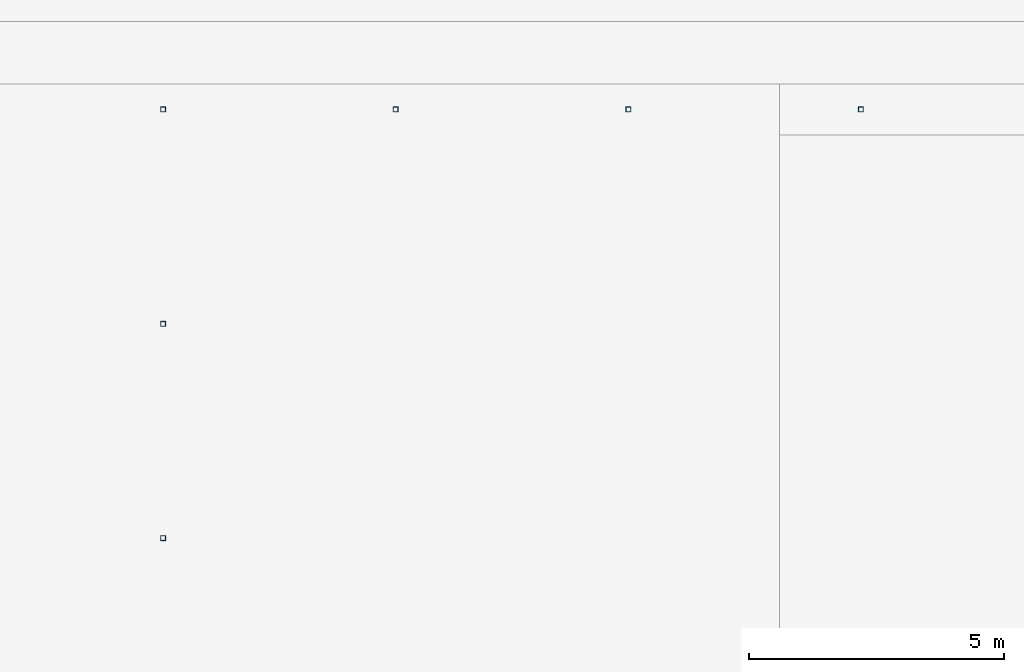
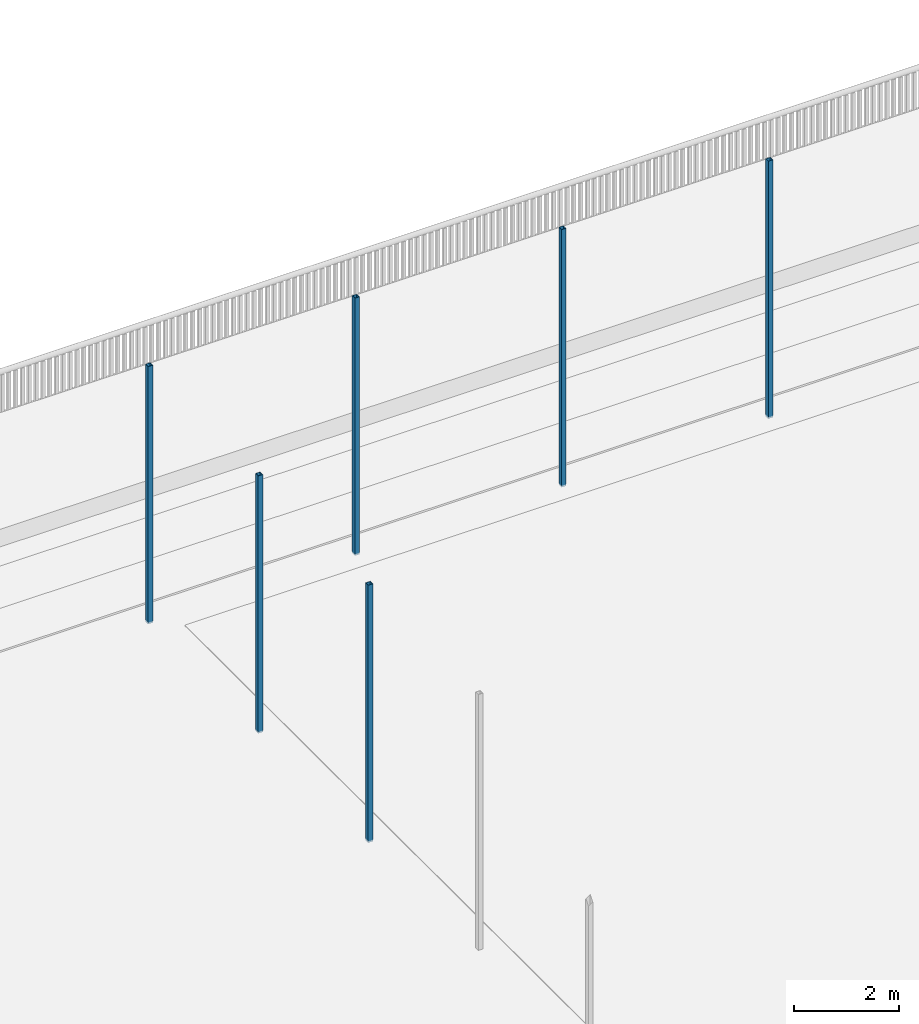
# One storey, part 79 of 127: 6 discrete accessories.
"""IFC4 building model written with IfcOpenShell, lengths in metres."""

from ifc_helpers import new_model, si_unit, direction, frame, origin, origin_2d, place, context, subcontext, project, spatial, hollow_rectangle, extrude, material, type_object, element, save


model = new_model("IFC4")

# Units and contexts
model_context = context("Model", 3, precision=1e-05, world=origin(), true_north=direction((0.0, 1.0)))
body_context = subcontext(model_context, "Body", "Model", "MODEL_VIEW")
ifc_project = project(units=[si_unit("LENGTHUNIT", "METRE"), si_unit("AREAUNIT", "SQUARE_METRE"), si_unit("VOLUMEUNIT", "CUBIC_METRE"), si_unit("PLANEANGLEUNIT", "RADIAN"), si_unit("MASSUNIT", "GRAM", prefix="KILO")], contexts=[model_context])

# Site, building, storey
site_placement = place(None, origin())
site = spatial("IfcSite", under=ifc_project, at=site_placement, CompositionType="ELEMENT")
building_placement = place(site_placement, origin())
building = spatial("IfcBuilding", under=site, at=building_placement, Name="Verrick Yard Athletic Hall", CompositionType="ELEMENT")
storey_placement = place(building_placement, frame((0.0, 0.0, 14.0)))
storey = spatial("IfcBuildingStorey", under=building, at=storey_placement, Name="L03", CompositionType="ELEMENT", Elevation=14.0)

# Discrete accessories
ifc_material = material(Name="Structural steel HSS Class C 350W (CSA G40.20/G40.21)", Category="steel")
discrete_accessory_type = type_object("IfcDiscreteAccessoryType", Name="Ball stop post", PredefinedType="USERDEFINED", material=ifc_material)
for number, where, z_axis, x_axis, name in (
    (1, (91.966796875, 46.5, 0.0), (0.0, 0.0, 1.0), (1.0, 0.0, 0.0), "Ball stop post 21"),
    (2, (87.4111328125, 46.5, 0.0), (0.0, 0.0, 1.0), (1.0, 0.0, 0.0), "Ball stop post 22"),
    (3, (82.855712890625, 46.5, 0.0), (0.0, 0.0, 1.0), (1.0, 0.0, 0.0), "Ball stop post 23"),
    (4, (78.300048828125, 46.5, 0.0), (0.0, 0.0, 1.0), (1.0, 0.0, 0.0), "Ball stop post 24"),
    (5, (78.300048828125, 42.300048828125, 0.0), (0.0, 0.0, 1.0), (1.0, 0.0, 0.0), "Ball stop post 25"),
    (6, (78.300048828125, 38.10009765625, 0.0), (0.0, 0.0, 1.0), (1.0, 0.0, 0.0), "Ball stop post 26"),
):
    element("IfcDiscreteAccessory", number, at=place(storey_placement, frame(where, z_axis=z_axis, x_axis=x_axis)), inside=storey, type_object=discrete_accessory_type, Name=name, ObjectType="BALL STOP POST", PredefinedType="USERDEFINED", context=body_context, shape_type="SweptSolid", body=[
        extrude(hollow_rectangle(XDim=0.1015625, YDim=0.1015625, WallThickness=0.00634765625, at=origin_2d()), origin(), (0.0, 0.0, 1.0), 6.0),
    ])

save(model, "model.ifc")
